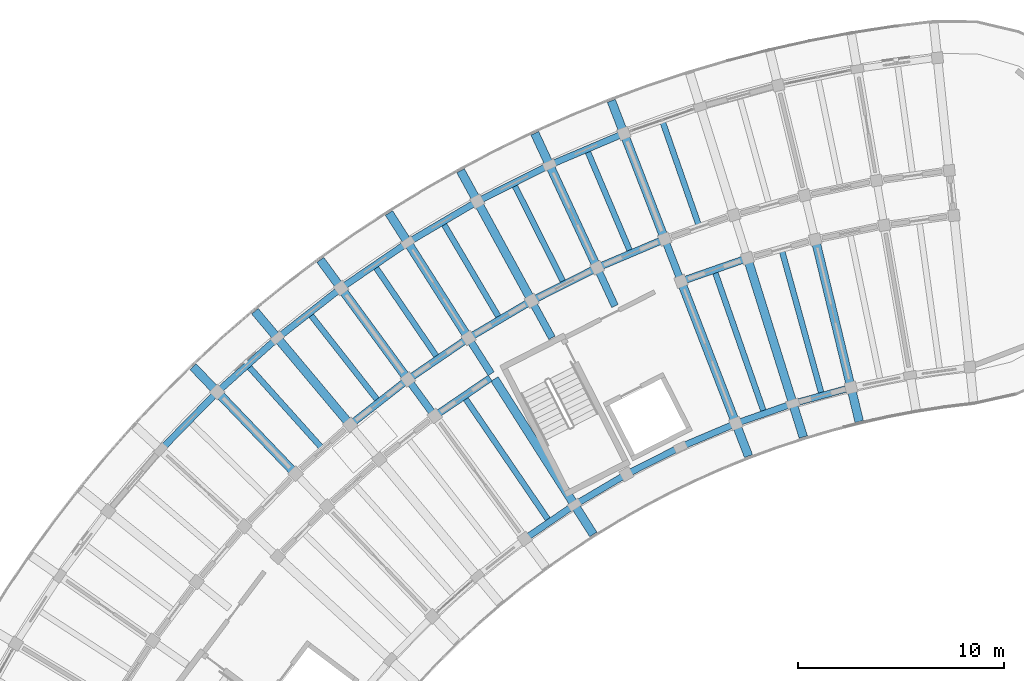
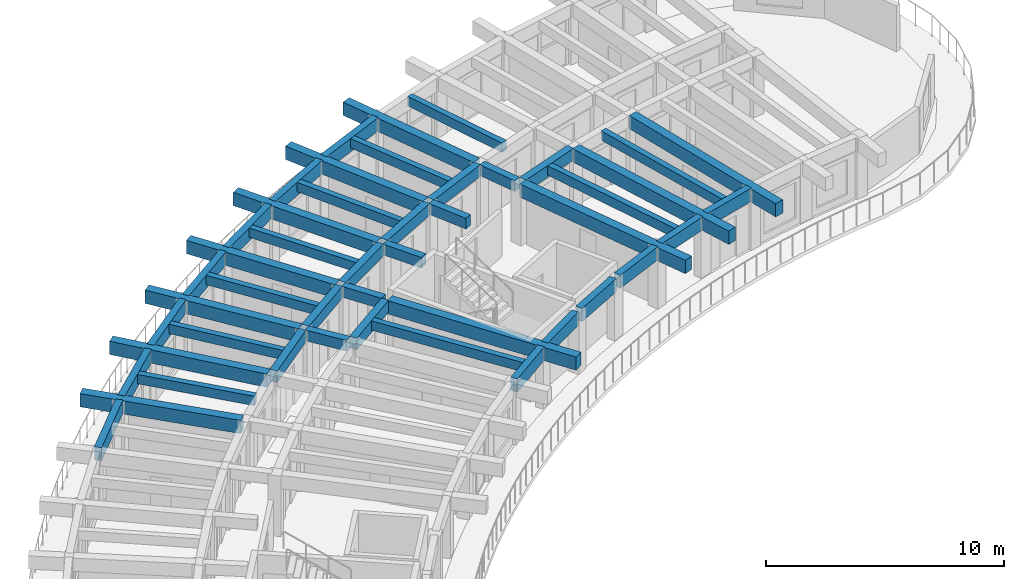
# One storey, part 19 of 96: 46 beams.
"""IFC4 building model written with IfcOpenShell, lengths in metres."""

from ifc_helpers import new_model, si_unit, direction, frame, origin, origin_2d, place, context, subcontext, project, spatial, rectangle, extrude, material, material_profile, profile_set, type_object, element, save


model = new_model("IFC4")

# Units and contexts
model_context = context("Model", 3, precision=1e-05, world=origin(), true_north=direction((0.0, 1.0)))
body_context = subcontext(model_context, "Body", "Model", "MODEL_VIEW")
ifc_project = project(units=[si_unit("LENGTHUNIT", "METRE"), si_unit("AREAUNIT", "SQUARE_METRE"), si_unit("VOLUMEUNIT", "CUBIC_METRE"), si_unit("PLANEANGLEUNIT", "RADIAN"), si_unit("MASSUNIT", "GRAM", prefix="KILO")], contexts=[model_context])

# Site, building, storey
site_placement = place(None, origin())
site = spatial("IfcSite", under=ifc_project, at=site_placement, CompositionType="ELEMENT")
building_placement = place(site_placement, origin())
building = spatial("IfcBuilding", under=site, at=building_placement, Name="Tanwirah Colonnade Gardens", CompositionType="ELEMENT")
storey_placement = place(building_placement, frame((0.0, 0.0, 12.199951171875)))
storey = spatial("IfcBuildingStorey", under=building, at=storey_placement, Name="L03", CompositionType="ELEMENT", Elevation=12.199951171875)

# Beams
ifc_material_1 = material(Name="Precast concrete C40/50", Category="concrete")
ifc_material_profile_1 = material_profile(ifc_material_1, rectangle(XDim=0.35009765625, YDim=0.550048828125, at=origin_2d()), Name="PC-BM 350x550")
ifc_profile_set_1 = profile_set([ifc_material_profile_1], Name="Precast concrete C40/50")
beam_type_1 = type_object("IfcBeamType", Name="BM-PC350A", PredefinedType="BEAM", material=ifc_profile_set_1)
for number, where, z_axis, x_axis, name in (
    (1, (46.270751953125, 108.7099609375, 2.830078125), (-0.360175656082, 0.932884503444, 0.0), (-0.932884503444, -0.360175656082, 0.0), "Block A L03 Corridor Tie Beam 4"),
    (2, (43.115234375, 107.37060546875, 2.830078125), (-0.420858322681, 0.90712638162, 0.0), (-0.90712638162, -0.420858322681, 0.0), "Block A L03 Corridor Tie Beam 5"),
    (3, (40.054931640625, 105.826171875, 2.830078125), (-0.479707235792, 0.877428611301, 0.0), (-0.877428611301, -0.479707235792, 0.0), "Block A L03 Corridor Tie Beam 6"),
    (4, (37.10302734375, 104.08349609375, 2.830078125), (-0.536509579595, 0.843894229749, 0.0), (-0.843894229749, -0.536509579595, 0.0), "Block A L03 Corridor Tie Beam 7"),
):
    element("IfcBeam", number, at=place(storey_placement, frame(where, z_axis=z_axis, x_axis=x_axis)), inside=storey, type_object=beam_type_1, Name=name, PredefinedType="BEAM", context=body_context, shape_type="SweptSolid", body=[
        extrude(rectangle(XDim=0.35009765625, YDim=0.550048828125, at=origin_2d()), origin(), (0.0, 0.0, 1.0), 1.89990234375),
    ])
beam_1_placement = place(storey_placement, frame((34.272216796875, 102.14990234375, 2.830078125), z_axis=(-0.590895676149, 0.806747977939, 0.0), x_axis=(-0.806747977939, -0.590895676149, 0.0)))
element("IfcBeam", 5, at=beam_1_placement, inside=storey, type_object=beam_type_1, Name="Block A L03 Corridor Tie Beam 8", PredefinedType="BEAM", context=body_context, shape_type="SweptSolid", body=[
    extrude(rectangle(XDim=0.35009765625, YDim=0.550048828125, at=origin_2d()), origin(), (0.0, 0.0, 1.0), 1.900146484375),
])
ifc_material_profile_2 = material_profile(ifc_material_1, rectangle(XDim=0.35009765625, YDim=0.60009765625, at=origin_2d()), Name="PC-BM 350x600")
ifc_profile_set_2 = profile_set([ifc_material_profile_2], Name="Precast concrete C40/50")
beam_type_2 = type_object("IfcBeamType", Name="BM-PC350B", PredefinedType="BEAM", material=ifc_profile_set_2)
beam_2_placement = place(storey_placement, frame((49.41064453125, 109.64599609375, 2.804931640625), z_axis=(-0.944248304077, -0.329234172358, 0.0), x_axis=(0.329234172358, -0.944248304077, 0.0)))
element("IfcBeam", 6, at=beam_2_placement, inside=storey, type_object=beam_type_2, Name="Block A L03 Circumferential Beam 3-R1", PredefinedType="BEAM", context=body_context, shape_type="SweptSolid", body=[
    extrude(rectangle(XDim=0.35009765625, YDim=0.60009765625, at=origin_2d()), origin(), (0.0, 0.0, 1.0), 3.1181640625),
])
beam_3_placement = place(storey_placement, frame((45.394287109375, 110.563720703125, 2.804931640625), z_axis=(-0.920513294115, -0.390711242938, 0.0), x_axis=(0.390711242938, -0.920513294115, 0.0)))
element("IfcBeam", 7, at=beam_3_placement, inside=storey, type_object=beam_type_2, Name="Block A L03 Circumferential Beam 4-R2", PredefinedType="BEAM", context=body_context, shape_type="SweptSolid", body=[
    extrude(rectangle(XDim=0.35009765625, YDim=0.60009765625, at=origin_2d()), origin(), (0.0, 0.0, 1.0), 3.262939453125),
])
for number, where, z_axis, x_axis, name in (
    (8, (42.11865234375, 109.16259765625, 2.804931640625), (-0.89276014323, -0.450532270387, 0.0), (0.450532270387, -0.89276014323, 0.0), "Block A L03 Circumferential Beam 5-R2"),
    (9, (38.9423828125, 107.548583984375, 2.804931640625), (-0.861134978964, -0.508376384193, 0.0), (0.508376384193, -0.861134978964, 0.0), "Block A L03 Circumferential Beam 6-R2"),
):
    element("IfcBeam", number, at=place(storey_placement, frame(where, z_axis=z_axis, x_axis=x_axis)), inside=storey, type_object=beam_type_2, Name=name, PredefinedType="BEAM", context=body_context, shape_type="SweptSolid", body=[
        extrude(rectangle(XDim=0.35009765625, YDim=0.60009765625, at=origin_2d()), origin(), (0.0, 0.0, 1.0), 3.26318359375),
    ])
beam_4_placement = place(storey_placement, frame((37.0595703125, 103.872314453125, 2.804931640625), z_axis=(-0.825758291455, -0.564024152047, 0.0), x_axis=(0.564024152047, -0.825758291455, 0.0)))
element("IfcBeam", 10, at=beam_4_placement, inside=storey, type_object=beam_type_2, Name="Block A L03 Circumferential Beam 7-R1", PredefinedType="BEAM", context=body_context, shape_type="SweptSolid", body=[
    extrude(rectangle(XDim=0.35009765625, YDim=0.60009765625, at=origin_2d()), origin(), (0.0, 0.0, 1.0), 3.118408203125),
])
for number, where, z_axis, x_axis, name in (
    (11, (35.87939453125, 105.728759765625, 2.804931640625), (-0.825782284145, -0.563989024, 0.0), (0.563989024, -0.825782284145, 0.0), "Block A L03 Circumferential Beam 7-R2"),
    (12, (32.94287109375, 103.711181640625, 2.804931640625), (-0.786839882256, -0.617157192044, 0.0), (0.617157192044, -0.786839882256, 0.0), "Block A L03 Circumferential Beam 8-R2"),
):
    element("IfcBeam", number, at=place(storey_placement, frame(where, z_axis=z_axis, x_axis=x_axis)), inside=storey, type_object=beam_type_2, Name=name, PredefinedType="BEAM", context=body_context, shape_type="SweptSolid", body=[
        extrude(rectangle(XDim=0.35009765625, YDim=0.60009765625, at=origin_2d()), origin(), (0.0, 0.0, 1.0), 3.26318359375),
    ])
ifc_material_2 = material(Name="Precast concrete C45/55", Category="concrete")
ifc_material_profile_3 = material_profile(ifc_material_2, rectangle(XDim=0.419921875, YDim=0.679931640625, at=origin_2d()), Name="PC-BM 420x680")
ifc_profile_set_3 = profile_set([ifc_material_profile_3], Name="Precast concrete C45/55")
beam_type_3 = type_object("IfcBeamType", Name="BM-PC420", PredefinedType="BEAM", material=ifc_profile_set_3)
beam_5_placement = place(storey_placement, frame((52.882080078125, 110.459716796875, 2.76513671875), z_axis=(0.234401428133, -0.972139892448, 0.0), x_axis=(0.972139892448, 0.234401428133, 0.0)))
element("IfcBeam", 13, at=beam_5_placement, inside=storey, type_object=beam_type_3, Name="Block A L03 Inner Radial Precast Girder 2", PredefinedType="BEAM", context=body_context, shape_type="SweptSolid", body=[
    extrude(rectangle(XDim=0.419921875, YDim=0.679931640625, at=origin_2d()), origin(), (0.0, 0.0, 1.0), 8.949951171875),
])
beam_6_placement = place(storey_placement, frame((49.596923828125, 109.55224609375, 2.76513671875), z_axis=(0.29792861283, -0.9545881529, 0.0), x_axis=(0.9545881529, 0.29792861283, 0.0)))
element("IfcBeam", 14, at=beam_6_placement, inside=storey, type_object=beam_type_3, Name="Block A L03 Inner Radial Precast Girder 3", PredefinedType="BEAM", context=body_context, shape_type="SweptSolid", body=[
    extrude(rectangle(XDim=0.419921875, YDim=0.679931640625, at=origin_2d()), origin(), (0.0, 0.0, 1.0), 8.9501953125),
])
beam_7_placement = place(storey_placement, frame((46.37890625, 108.43017578125, 2.76513671875), z_axis=(0.360155980892, -0.932892099563, 0.0), x_axis=(0.932892099563, 0.360155980892, 0.0)))
element("IfcBeam", 15, at=beam_7_placement, inside=storey, type_object=beam_type_3, Name="Block A L03 Inner Radial Precast Girder 4", PredefinedType="BEAM", context=body_context, shape_type="SweptSolid", body=[
    extrude(rectangle(XDim=0.419921875, YDim=0.679931640625, at=origin_2d()), origin(), (0.0, 0.0, 1.0), 8.949951171875),
])
for number, where, z_axis, x_axis, name in (
    (16, (45.478271484375, 110.76220703125, 2.76513671875), (-0.360150678391, 0.932894146651, 0.0), (-0.932894146651, -0.360150678391, 0.0), "Block A L03 Outer Radial Precast Girder 4"),
    (17, (42.189453125, 109.3662109375, 2.76513671875), (-0.420855908645, 0.9071275016, 0.0), (-0.9071275016, -0.420855908645, 0.0), "Block A L03 Outer Radial Precast Girder 5"),
    (18, (38.99951171875, 107.75634765625, 2.76513671875), (-0.479686549155, 0.877439920769, 0.0), (-0.877439920769, -0.479686549155, 0.0), "Block A L03 Outer Radial Precast Girder 6"),
):
    element("IfcBeam", number, at=place(storey_placement, frame(where, z_axis=z_axis, x_axis=x_axis)), inside=storey, type_object=beam_type_3, Name=name, PredefinedType="BEAM", context=body_context, shape_type="SweptSolid", body=[
        extrude(rectangle(XDim=0.419921875, YDim=0.679931640625, at=origin_2d()), origin(), (0.0, 0.0, 1.0), 7.050048828125),
    ])
beam_8_placement = place(storey_placement, frame((37.263916015625, 103.830322265625, 2.76513671875), z_axis=(0.536483588607, -0.843910753075, 0.0), x_axis=(0.843910753075, 0.536483588607, 0.0)))
element("IfcBeam", 19, at=beam_8_placement, inside=storey, type_object=beam_type_3, Name="Block A L03 Inner Radial Precast Girder 7", PredefinedType="BEAM", context=body_context, shape_type="SweptSolid", body=[
    extrude(rectangle(XDim=0.419921875, YDim=0.679931640625, at=origin_2d()), origin(), (0.0, 0.0, 1.0), 8.949951171875),
])
for number, where, z_axis, x_axis, name in (
    (20, (35.922607421875, 105.93994140625, 2.76513671875), (-0.536476584537, 0.8439152056, 0.0), (-0.8439152056, -0.536476584537, 0.0), "Block A L03 Outer Radial Precast Girder 7"),
    (21, (32.97216796875, 103.9248046875, 2.76513671875), (-0.590919194225, 0.806730751798, 0.0), (-0.806730751798, -0.590919194225, 0.0), "Block A L03 Outer Radial Precast Girder 8"),
):
    element("IfcBeam", number, at=place(storey_placement, frame(where, z_axis=z_axis, x_axis=x_axis)), inside=storey, type_object=beam_type_3, Name=name, PredefinedType="BEAM", context=body_context, shape_type="SweptSolid", body=[
        extrude(rectangle(XDim=0.419921875, YDim=0.679931640625, at=origin_2d()), origin(), (0.0, 0.0, 1.0), 7.050048828125),
    ])
beam_9_placement = place(storey_placement, frame((30.160888671875, 101.7197265625, 2.76513671875), z_axis=(-0.642810291951, 0.766025409867, 0.0), x_axis=(-0.766025409867, -0.642810291951, 0.0)))
element("IfcBeam", 22, at=beam_9_placement, inside=storey, type_object=beam_type_3, Name="Block A L03 Outer Radial Precast Girder 9", PredefinedType="BEAM", context=body_context, shape_type="SweptSolid", body=[
    extrude(rectangle(XDim=0.419921875, YDim=0.679931640625, at=origin_2d()), origin(), (0.0, 0.0, 1.0), 7.0498046875),
])
beam_10_placement = place(storey_placement, frame((27.5009765625, 99.333984375, 2.76513671875), z_axis=(-0.691864746793, 0.722027127015, 0.0), x_axis=(-0.722027127015, -0.691864746793, 0.0)))
element("IfcBeam", 23, at=beam_10_placement, inside=storey, type_object=beam_type_3, Name="Block A L03 Outer Radial Precast Girder 10", PredefinedType="BEAM", context=body_context, shape_type="SweptSolid", body=[
    extrude(rectangle(XDim=0.419921875, YDim=0.679931640625, at=origin_2d()), origin(), (0.0, 0.0, 1.0), 7.050048828125),
])
ifc_material_profile_4 = material_profile(ifc_material_1, rectangle(XDim=0.280029296875, YDim=0.47998046875, at=origin_2d()), Name="PC-JST 280x480")
ifc_profile_set_4 = profile_set([ifc_material_profile_4], Name="Precast concrete C40/50")
beam_type_4 = type_object("IfcBeamType", Name="JST-PC280", PredefinedType="JOIST", material=ifc_profile_set_4)
beam_11_placement = place(storey_placement, frame((53.130859375, 103.16064453125, 2.864990234375), z_axis=(-0.266307034535, 0.963888252526, 0.0), x_axis=(-0.963888252526, -0.266307034535, 0.0)))
element("IfcBeam", 24, at=beam_11_placement, inside=storey, type_object=beam_type_4, Name="Block A L03 Inner Precast Floor Joist 2", PredefinedType="JOIST", context=body_context, shape_type="SweptSolid", body=[
    extrude(rectangle(XDim=0.280029296875, YDim=0.47998046875, at=origin_2d()), origin(), (0.0, 0.0, 1.0), 7.159912109375),
])
beam_12_placement = place(storey_placement, frame((47.16552734375, 111.349853515625, 2.864990234375), z_axis=(-0.3292586038, 0.944239785131, 0.0), x_axis=(-0.944239785131, -0.3292586038, 0.0)))
element("IfcBeam", 25, at=beam_12_placement, inside=storey, type_object=beam_type_4, Name="Block A L03 Precast Floor Joist 3", PredefinedType="JOIST", context=body_context, shape_type="SweptSolid", body=[
    extrude(rectangle(XDim=0.280029296875, YDim=0.47998046875, at=origin_2d()), origin(), (0.0, 0.0, 1.0), 5.260009765625),
])
beam_13_placement = place(storey_placement, frame((50.326171875, 102.28515625, 2.864990234375), z_axis=(-0.329250558112, 0.944242590642, 0.0), x_axis=(-0.944242590642, -0.329250558112, 0.0)))
element("IfcBeam", 26, at=beam_13_placement, inside=storey, type_object=beam_type_4, Name="Block A L03 Inner Precast Floor Joist 3", PredefinedType="JOIST", context=body_context, shape_type="SweptSolid", body=[
    extrude(rectangle(XDim=0.280029296875, YDim=0.47998046875, at=origin_2d()), origin(), (0.0, 0.0, 1.0), 7.159912109375),
])
beam_14_placement = place(storey_placement, frame((43.833984375, 110.063720703125, 2.864990234375), z_axis=(-0.390723870106, 0.92050793442, 0.0), x_axis=(-0.92050793442, -0.390723870106, 0.0)))
element("IfcBeam", 27, at=beam_14_placement, inside=storey, type_object=beam_type_4, Name="Block A L03 Precast Floor Joist 4", PredefinedType="JOIST", context=body_context, shape_type="SweptSolid", body=[
    extrude(rectangle(XDim=0.280029296875, YDim=0.47998046875, at=origin_2d()), origin(), (0.0, 0.0, 1.0), 5.260009765625),
])
for number, where, z_axis, x_axis, name in (
    (28, (40.5947265625, 108.560791015625, 2.864990234375), (-0.450533699488, 0.892759422031, 0.0), (-0.892759422031, -0.450533699488, 0.0), "Block A L03 Precast Floor Joist 5"),
    (29, (37.46142578125, 106.84765625, 2.864990234375), (-0.508360236823, 0.86114451146, 0.0), (-0.86114451146, -0.508360236823, 0.0), "Block A L03 Precast Floor Joist 6"),
):
    element("IfcBeam", number, at=place(storey_placement, frame(where, z_axis=z_axis, x_axis=x_axis)), inside=storey, type_object=beam_type_4, Name=name, PredefinedType="JOIST", context=body_context, shape_type="SweptSolid", body=[
        extrude(rectangle(XDim=0.280029296875, YDim=0.47998046875, at=origin_2d()), origin(), (0.0, 0.0, 1.0), 5.26025390625),
    ])
beam_15_placement = place(storey_placement, frame((34.44775390625, 104.931884765625, 2.864990234375), z_axis=(-0.563973225998, 0.825793073571, 0.0), x_axis=(-0.825793073571, -0.563973225998, 0.0)))
element("IfcBeam", 30, at=beam_15_placement, inside=storey, type_object=beam_type_4, Name="Block A L03 Precast Floor Joist 7", PredefinedType="JOIST", context=body_context, shape_type="SweptSolid", body=[
    extrude(rectangle(XDim=0.280029296875, YDim=0.47998046875, at=origin_2d()), origin(), (0.0, 0.0, 1.0), 5.260009765625),
])
beam_16_placement = place(storey_placement, frame((39.8623046875, 97.004638671875, 2.864990234375), z_axis=(-0.564021195806, 0.825760310672, 0.0), x_axis=(-0.825760310672, -0.564021195806, 0.0)))
element("IfcBeam", 31, at=beam_16_placement, inside=storey, type_object=beam_type_4, Name="Block A L03 Inner Precast Floor Joist 7", PredefinedType="JOIST", context=body_context, shape_type="SweptSolid", body=[
    extrude(rectangle(XDim=0.280029296875, YDim=0.47998046875, at=origin_2d()), origin(), (0.0, 0.0, 1.0), 7.159912109375),
])
for number, where, z_axis, x_axis, name in (
    (32, (31.56689453125, 102.82177734375, 2.864990234375), (-0.617177687243, 0.786823806433, 0.0), (-0.786823806433, -0.617177687243, 0.0), "Block A L03 Precast Floor Joist 8"),
    (33, (28.831298828125, 100.5263671875, 2.864990234375), (-0.667678987176, 0.744449306591, 0.0), (-0.744449306591, -0.667678987176, 0.0), "Block A L03 Precast Floor Joist 9"),
):
    element("IfcBeam", number, at=place(storey_placement, frame(where, z_axis=z_axis, x_axis=x_axis)), inside=storey, type_object=beam_type_4, Name=name, PredefinedType="JOIST", context=body_context, shape_type="SweptSolid", body=[
        extrude(rectangle(XDim=0.280029296875, YDim=0.47998046875, at=origin_2d()), origin(), (0.0, 0.0, 1.0), 5.260009765625),
    ])
ifc_material_profile_5 = material_profile(ifc_material_2, rectangle(XDim=0.320068359375, YDim=0.679931640625, at=origin_2d()), Name="PC-SP 320x680")
ifc_profile_set_5 = profile_set([ifc_material_profile_5], Name="Precast concrete C45/55")
beam_type_5 = type_object("IfcBeamType", Name="SP-PC320", PredefinedType="SPANDREL", material=ifc_profile_set_5)
beam_17_placement = place(storey_placement, frame((54.436767578125, 103.371826171875, 2.76513671875), z_axis=(-0.96388669146, -0.266312684688, 0.0), x_axis=(0.266312684688, -0.96388669146, 0.0)))
element("IfcBeam", 34, at=beam_17_placement, inside=storey, type_object=beam_type_5, Name="Block A L03 Circumferential Beam 2-R0", PredefinedType="SPANDREL", context=body_context, shape_type="SweptSolid", body=[
    extrude(rectangle(XDim=0.320068359375, YDim=0.679931640625, at=origin_2d()), origin(), (0.0, 0.0, 1.0), 2.630126953125),
])
for number, where, z_axis, x_axis, name in (
    (35, (51.615478515625, 102.58203125, 2.76513671875), (-0.944249847334, -0.32922974624, 0.0), (0.32922974624, -0.944249847334, 0.0), "Block A L03 Circumferential Beam 3-R0"),
    (36, (48.85205078125, 101.608154296875, 2.76513671875), (-0.920488719784, -0.390769134848, 0.0), (0.390769134848, -0.920488719784, 0.0), "Block A L03 Circumferential Beam 4-R0"),
):
    element("IfcBeam", number, at=place(storey_placement, frame(where, z_axis=z_axis, x_axis=x_axis)), inside=storey, type_object=beam_type_5, Name=name, PredefinedType="SPANDREL", context=body_context, shape_type="SweptSolid", body=[
        extrude(rectangle(XDim=0.320068359375, YDim=0.679931640625, at=origin_2d()), origin(), (0.0, 0.0, 1.0), 2.63037109375),
    ])
beam_18_placement = place(storey_placement, frame((43.413330078125, 115.694580078125, 2.76513671875), z_axis=(-0.920494456807, -0.390755620545, 0.0), x_axis=(0.390755620545, -0.920494456807, 0.0)))
element("IfcBeam", 37, at=beam_18_placement, inside=storey, type_object=beam_type_5, Name="Block A L03 Circumferential Beam 4-R3", PredefinedType="SPANDREL", context=body_context, shape_type="SweptSolid", body=[
    extrude(rectangle(XDim=0.320068359375, YDim=0.679931640625, at=origin_2d()), origin(), (0.0, 0.0, 1.0), 3.625732421875),
])
beam_19_placement = place(storey_placement, frame((46.158935546875, 100.4541015625, 2.76513671875), z_axis=(-0.892769015158, -0.450514689632, 0.0), x_axis=(0.450514689632, -0.892769015158, 0.0)))
element("IfcBeam", 38, at=beam_19_placement, inside=storey, type_object=beam_type_5, Name="Block A L03 Circumferential Beam 5-R0", PredefinedType="SPANDREL", context=body_context, shape_type="SweptSolid", body=[
    extrude(rectangle(XDim=0.320068359375, YDim=0.679931640625, at=origin_2d()), origin(), (0.0, 0.0, 1.0), 2.63037109375),
])
beam_20_placement = place(storey_placement, frame((39.803955078125, 114.15185546875, 2.76513671875), z_axis=(-0.892764670911, -0.450523298368, 0.0), x_axis=(0.450523298368, -0.892764670911, 0.0)))
element("IfcBeam", 39, at=beam_20_placement, inside=storey, type_object=beam_type_5, Name="Block A L03 Circumferential Beam 5-R3", PredefinedType="SPANDREL", context=body_context, shape_type="SweptSolid", body=[
    extrude(rectangle(XDim=0.320068359375, YDim=0.679931640625, at=origin_2d()), origin(), (0.0, 0.0, 1.0), 3.6259765625),
])
beam_21_placement = place(storey_placement, frame((43.547607421875, 99.125244140625, 2.76513671875), z_axis=(-0.861148181788, -0.508354019363, 0.0), x_axis=(0.508354019363, -0.861148181788, 0.0)))
element("IfcBeam", 40, at=beam_21_placement, inside=storey, type_object=beam_type_5, Name="Block A L03 Circumferential Beam 6-R0", PredefinedType="SPANDREL", context=body_context, shape_type="SweptSolid", body=[
    extrude(rectangle(XDim=0.320068359375, YDim=0.679931640625, at=origin_2d()), origin(), (0.0, 0.0, 1.0), 2.63037109375),
])
beam_22_placement = place(storey_placement, frame((36.303955078125, 112.37451171875, 2.76513671875), z_axis=(-0.861136912545, -0.5083731089, 0.0), x_axis=(0.5083731089, -0.861136912545, 0.0)))
element("IfcBeam", 41, at=beam_22_placement, inside=storey, type_object=beam_type_5, Name="Block A L03 Circumferential Beam 6-R3", PredefinedType="SPANDREL", context=body_context, shape_type="SweptSolid", body=[
    extrude(rectangle(XDim=0.320068359375, YDim=0.679931640625, at=origin_2d()), origin(), (0.0, 0.0, 1.0), 3.625732421875),
])
beam_23_placement = place(storey_placement, frame((41.029541015625, 97.627197265625, 2.76513671875), z_axis=(-0.825800981874, -0.563961646158, 0.0), x_axis=(0.563961646158, -0.825800981874, 0.0)))
element("IfcBeam", 42, at=beam_23_placement, inside=storey, type_object=beam_type_5, Name="Block A L03 Circumferential Beam 7-R0", PredefinedType="SPANDREL", context=body_context, shape_type="SweptSolid", body=[
    extrude(rectangle(XDim=0.320068359375, YDim=0.679931640625, at=origin_2d()), origin(), (0.0, 0.0, 1.0), 2.63037109375),
])
beam_24_placement = place(storey_placement, frame((32.9287109375, 110.370361328125, 2.76513671875), z_axis=(-0.825782625102, -0.563988524776, 0.0), x_axis=(0.563988524776, -0.825782625102, 0.0)))
element("IfcBeam", 43, at=beam_24_placement, inside=storey, type_object=beam_type_5, Name="Block A L03 Circumferential Beam 7-R3", PredefinedType="SPANDREL", context=body_context, shape_type="SweptSolid", body=[
    extrude(rectangle(XDim=0.320068359375, YDim=0.679931640625, at=origin_2d()), origin(), (0.0, 0.0, 1.0), 3.625732421875),
])
beam_25_placement = place(storey_placement, frame((29.69287109375, 108.148193359375, 2.76513671875), z_axis=(-0.786843799845, -0.617152197311, 0.0), x_axis=(0.617152197311, -0.786843799845, 0.0)))
element("IfcBeam", 44, at=beam_25_placement, inside=storey, type_object=beam_type_5, Name="Block A L03 Circumferential Beam 8-R3", PredefinedType="SPANDREL", context=body_context, shape_type="SweptSolid", body=[
    extrude(rectangle(XDim=0.320068359375, YDim=0.679931640625, at=origin_2d()), origin(), (0.0, 0.0, 1.0), 3.62548828125),
])
beam_26_placement = place(storey_placement, frame((26.6103515625, 105.7177734375, 2.76513671875), z_axis=(-0.744444790955, -0.667684021989, 0.0), x_axis=(0.667684021989, -0.744444790955, 0.0)))
element("IfcBeam", 45, at=beam_26_placement, inside=storey, type_object=beam_type_5, Name="Block A L03 Circumferential Beam 9-R3", PredefinedType="SPANDREL", context=body_context, shape_type="SweptSolid", body=[
    extrude(rectangle(XDim=0.320068359375, YDim=0.679931640625, at=origin_2d()), origin(), (0.0, 0.0, 1.0), 3.625732421875),
])
beam_27_placement = place(storey_placement, frame((23.69482421875, 103.089599609375, 2.76513671875), z_axis=(-0.698844493997, -0.715273635199, 0.0), x_axis=(0.715273635199, -0.698844493997, 0.0)))
element("IfcBeam", 46, at=beam_27_placement, inside=storey, type_object=beam_type_5, Name="Block A L03 Circumferential Beam 10-R3", PredefinedType="SPANDREL", context=body_context, shape_type="SweptSolid", body=[
    extrude(rectangle(XDim=0.320068359375, YDim=0.679931640625, at=origin_2d()), origin(), (0.0, 0.0, 1.0), 3.6259765625),
])

save(model, "model.ifc")
